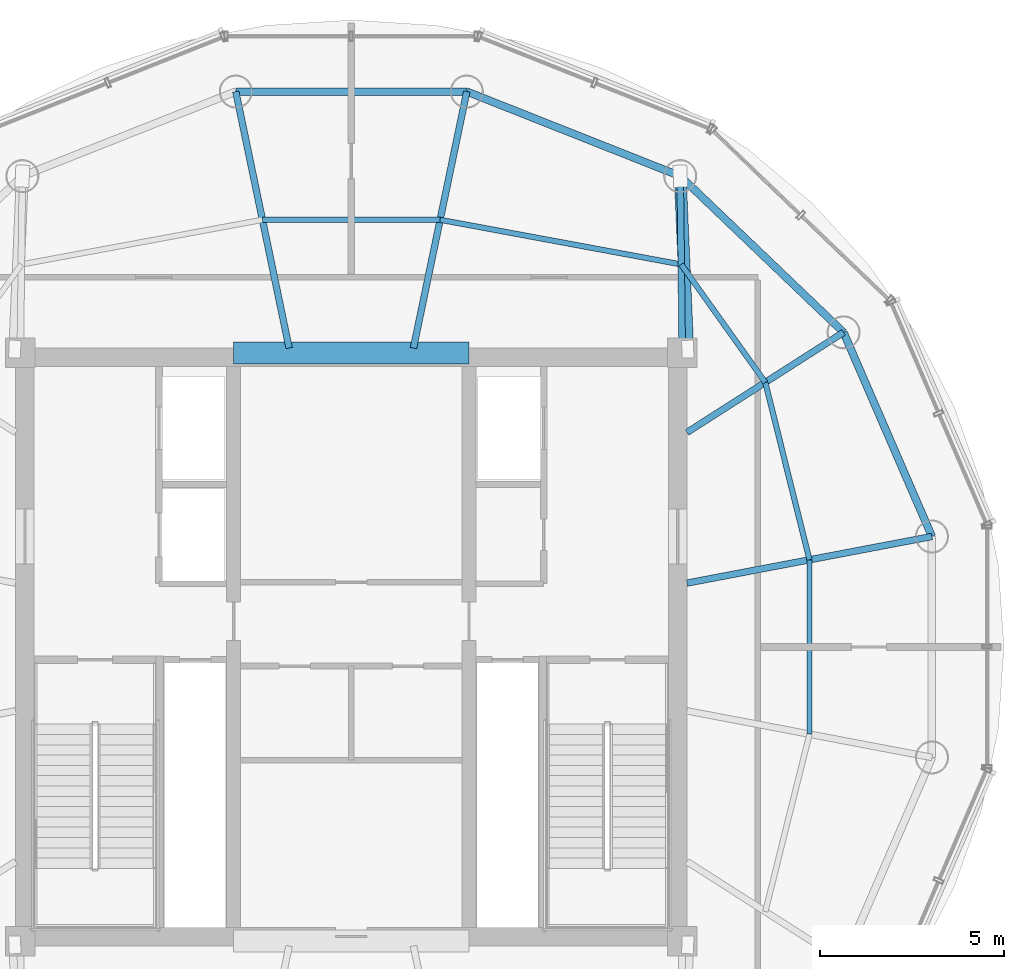
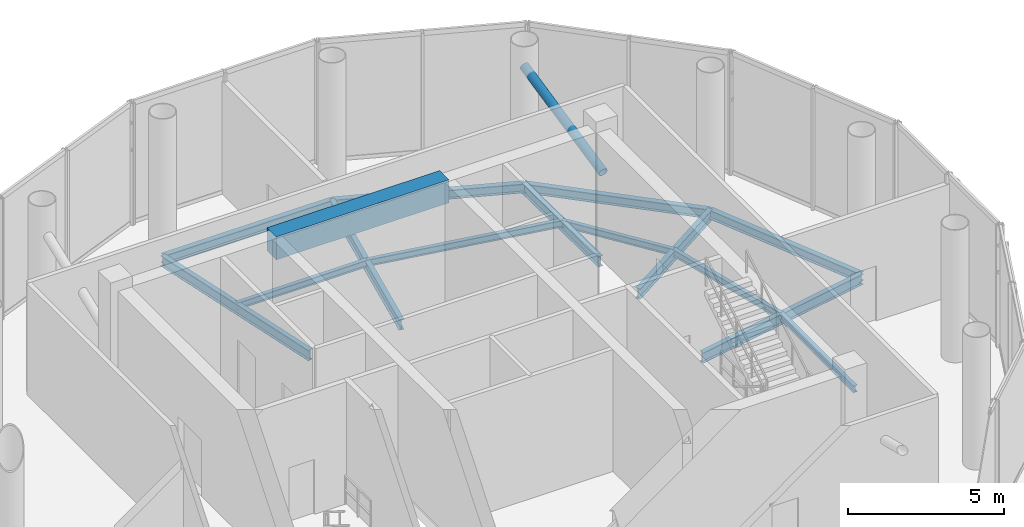
# One storey, part 7 of 15: 15 beams, 1 member.
"""IFC4 building model written with IfcOpenShell, lengths in metres."""

from ifc_helpers import new_model, si_unit, direction, frame, origin, origin_2d, place, context, subcontext, project, spatial, rectangle, hollow_circle, i_section, extrude, source, transform, mapped, material, material_profile, profile_set, type_object, element, save


model = new_model("IFC4")

# Units and contexts
model_context = context("Model", 3, precision=1e-05, world=origin(), true_north=direction((-0.2419218956, 0.970295726276)))
body_context = subcontext(model_context, "Body", "Model", "MODEL_VIEW")
ifc_project = project(units=[si_unit("LENGTHUNIT", "METRE"), si_unit("AREAUNIT", "SQUARE_METRE"), si_unit("VOLUMEUNIT", "CUBIC_METRE"), si_unit("PLANEANGLEUNIT", "RADIAN"), si_unit("MASSUNIT", "GRAM", prefix="KILO")], contexts=[model_context])

# Site, building, storey
site_placement = place(None, origin())
site = spatial("IfcSite", under=ifc_project, at=site_placement, CompositionType="ELEMENT")
building_placement = place(site_placement, origin())
building = spatial("IfcBuilding", under=site, at=building_placement, Name="Cobrevalo Terracotta Tower", CompositionType="ELEMENT")
storey_placement = place(building_placement, frame((0.0, 0.0, 311.300048828125)))
storey = spatial("IfcBuildingStorey", under=building, at=storey_placement, Name="L81", CompositionType="ELEMENT", Elevation=311.300048828125)

# Beams
ifc_material_1 = material(Name="Concrete C60", Category="concrete")
ifc_material_profile_1 = material_profile(ifc_material_1, rectangle(XDim=0.60009765625, YDim=0.89990234375, at=origin_2d()), Name="RC CB 600x900")
ifc_profile_set_1 = profile_set([ifc_material_profile_1], Name="Concrete C60")
beam_type_1 = type_object("IfcBeamType", Name="Structural Beam RC CB 600x900 (Concrete C60)", PredefinedType="BEAM", material=ifc_profile_set_1)
beam_1_placement = place(storey_placement, frame((34.800048828125, 34.800048828125, 4.329833984375), z_axis=(1.0, 0.0, 0.0), x_axis=(0.0, 1.0, 0.0)))
element("IfcBeam", 1, at=beam_1_placement, inside=storey, type_object=beam_type_1, Name="L81 core coupling beam 2", PredefinedType="BEAM", context=body_context, shape_type="SweptSolid", body=[
    extrude(rectangle(XDim=0.60009765625, YDim=0.89990234375, at=origin_2d()), origin(), (0.0, 0.0, 1.0), 6.39990234375),
])
ifc_material_2 = material(Name="Steel S355", Category="steel")
ifc_material_profile_2 = material_profile(ifc_material_2, i_section(OverallWidth=0.179931640625, OverallDepth=0.4130859375, WebThickness=0.009765625, FlangeThickness=0.01611328125, at=origin_2d()), Name="W 410x75")
ifc_profile_set_2 = profile_set([ifc_material_profile_2], Name="Steel S355")
beam_type_2 = type_object("IfcBeamType", Name="Structural Beam W 410x75 (Steel S355)", PredefinedType="BEAM", material=ifc_profile_set_2)
beam_2_placement = place(storey_placement, frame((53.79052734375, 29.804443359375, -0.62646484375), z_axis=(-0.982375422254, -0.186918510993, 0.0), x_axis=(0.186918510993, -0.982375422254, 0.0)))
element("IfcBeam", 2, at=beam_2_placement, inside=storey, type_object=beam_type_2, Name="L81 radial floor girder 01", PredefinedType="BEAM", context=body_context, shape_type="SweptSolid", body=[
    extrude(i_section(OverallWidth=0.179931640625, OverallDepth=0.4130859375, WebThickness=0.009765625, FlangeThickness=0.01611328125, at=origin_2d()), origin(), (0.0, 0.0, 1.0), 6.780029296875),
])
beam_3_placement = place(storey_placement, frame((51.38671875, 35.355712890625, -0.62646484375), z_axis=(-0.842623166291, -0.538503667239, 0.0), x_axis=(0.538503667239, -0.842623166291, 0.0)))
element("IfcBeam", 3, at=beam_3_placement, inside=storey, type_object=beam_type_2, Name="L81 radial floor girder 02", PredefinedType="BEAM", context=body_context, shape_type="SweptSolid", body=[
    extrude(i_section(OverallWidth=0.179931640625, OverallDepth=0.4130859375, WebThickness=0.009765625, FlangeThickness=0.01611328125, at=origin_2d()), origin(), (0.0, 0.0, 1.0), 5.052001953125),
])
beam_4_placement = place(storey_placement, frame((46.944580078125, 39.604736328125, -0.62646484375), z_axis=(0.01153378561, -0.999933483683, 0.0), x_axis=(0.999933483683, 0.01153378561, 0.0)))
element("IfcBeam", 4, at=beam_4_placement, inside=storey, type_object=beam_type_2, Name="L81 radial floor girder 03", PredefinedType="BEAM", context=body_context, shape_type="SweptSolid", body=[
    extrude(i_section(OverallWidth=0.179931640625, OverallDepth=0.4130859375, WebThickness=0.009765625, FlangeThickness=0.01611328125, at=origin_2d()), origin(), (0.0, 0.0, 1.0), 4.804931640625),
])
for number, where, z_axis, x_axis, name in (
    (5, (41.140869140625, 41.904052734375, -0.62646484375), (-0.203584701476, -0.979057337098, 0.0), (0.979057337098, -0.203584701476, 0.0), "L81 radial floor girder 04"),
    (6, (34.859130859375, 41.904052734375, -0.62646484375), (0.203584701476, -0.979057337098, 0.0), (0.979057337098, 0.203584701476, 0.0), "L81 radial floor girder 05"),
):
    element("IfcBeam", number, at=place(storey_placement, frame(where, z_axis=z_axis, x_axis=x_axis)), inside=storey, type_object=beam_type_2, Name=name, PredefinedType="BEAM", context=body_context, shape_type="SweptSolid", body=[
        extrude(i_section(OverallWidth=0.179931640625, OverallDepth=0.4130859375, WebThickness=0.009765625, FlangeThickness=0.01611328125, at=origin_2d()), origin(), (0.0, 0.0, 1.0), 7.123291015625),
    ])
ifc_material_profile_3 = material_profile(ifc_material_2, i_section(OverallWidth=0.14794921875, OverallDepth=0.26611328125, WebThickness=0.007568359375, FlangeThickness=0.012939453125, at=origin_2d()), Name="W 250x44.8")
ifc_profile_set_3 = profile_set([ifc_material_profile_3], Name="Steel S355")
beam_type_3 = type_object("IfcBeamType", Name="Structural Joist W 250x44.8 (Steel S355)", PredefinedType="JOIST", material=ifc_profile_set_3)
beam_5_placement = place(storey_placement, frame((50.460205078125, 29.170654296875, -0.552978515625), z_axis=(-0.241715293121, 0.970347214698, 0.0), x_axis=(-0.970347214698, -0.241715293121, 0.0)))
element("IfcBeam", 7, at=beam_5_placement, inside=storey, type_object=beam_type_3, Name="L81 circumferential secondary floor joist 01", PredefinedType="JOIST", context=body_context, shape_type="SweptSolid", body=[
    extrude(i_section(OverallWidth=0.14794921875, OverallDepth=0.26611328125, WebThickness=0.007568359375, FlangeThickness=0.012939453125, at=origin_2d()), origin(), (0.0, 0.0, 1.0), 4.972412109375),
])
beam_6_placement = place(storey_placement, frame((49.25830078125, 33.99560546875, -0.552978515625), z_axis=(-0.58045210377, 0.814294391009, 0.0), x_axis=(-0.814294391009, -0.58045210377, 0.0)))
element("IfcBeam", 8, at=beam_6_placement, inside=storey, type_object=beam_type_3, Name="L81 circumferential secondary floor joist 02", PredefinedType="JOIST", context=body_context, shape_type="SweptSolid", body=[
    extrude(i_section(OverallWidth=0.14794921875, OverallDepth=0.26611328125, WebThickness=0.007568359375, FlangeThickness=0.012939453125, at=origin_2d()), origin(), (0.0, 0.0, 1.0), 3.938232421875),
])
beam_7_placement = place(storey_placement, frame((46.972412109375, 37.202392578125, -0.552978515625), z_axis=(-0.98327107767, 0.182148257797, 0.0), x_axis=(-0.182148257797, -0.98327107767, 0.0)))
element("IfcBeam", 9, at=beam_7_placement, inside=storey, type_object=beam_type_3, Name="L81 circumferential secondary floor joist 03", PredefinedType="JOIST", context=body_context, shape_type="SweptSolid", body=[
    extrude(i_section(OverallWidth=0.14794921875, OverallDepth=0.26611328125, WebThickness=0.007568359375, FlangeThickness=0.012939453125, at=origin_2d()), origin(), (0.0, 0.0, 1.0), 6.668212890625),
])
beam_8_placement = place(storey_placement, frame((40.415771484375, 38.4169921875, -0.552978515625), z_axis=(-1.0, 0.0, 0.0), x_axis=(0.0, -1.0, 0.0)))
element("IfcBeam", 10, at=beam_8_placement, inside=storey, type_object=beam_type_3, Name="L81 circumferential secondary floor joist 04", PredefinedType="JOIST", context=body_context, shape_type="SweptSolid", body=[
    extrude(i_section(OverallWidth=0.14794921875, OverallDepth=0.26611328125, WebThickness=0.007568359375, FlangeThickness=0.012939453125, at=origin_2d()), origin(), (0.0, 0.0, 1.0), 4.83154296875),
])
beam_9_placement = place(storey_placement, frame((50.460205078125, 24.42919921875, -0.552978515625), z_axis=(0.0, 1.0, 0.0), x_axis=(-1.0, 0.0, 0.0)))
element("IfcBeam", 11, at=beam_9_placement, inside=storey, type_object=beam_type_3, Name="L81 circumferential secondary floor joist 16", PredefinedType="JOIST", context=body_context, shape_type="SweptSolid", body=[
    extrude(i_section(OverallWidth=0.14794921875, OverallDepth=0.26611328125, WebThickness=0.007568359375, FlangeThickness=0.012939453125, at=origin_2d()), origin(), (0.0, 0.0, 1.0), 4.741455078125),
])
ifc_material_profile_4 = material_profile(ifc_material_2, i_section(OverallWidth=0.205078125, OverallDepth=0.35400390625, WebThickness=0.009521484375, FlangeThickness=0.016845703125, at=origin_2d()), Name="W 360x79")
ifc_profile_set_4 = profile_set([ifc_material_profile_4], Name="Steel S355")
beam_type_4 = type_object("IfcBeamType", Name="Structural Spandrel W 360x79 (Steel S355)", PredefinedType="SPANDREL", material=ifc_profile_set_4)
beam_10_placement = place(storey_placement, frame((53.79052734375, 29.804443359375, -0.59716796875), z_axis=(-0.397365049134, 0.917660622304, 0.0), x_axis=(-0.917660622304, -0.397365049134, 0.0)))
element("IfcBeam", 12, at=beam_10_placement, inside=storey, type_object=beam_type_4, Name="L81 perimeter ring spandrel 01", PredefinedType="SPANDREL", context=body_context, shape_type="SweptSolid", body=[
    extrude(i_section(OverallWidth=0.205078125, OverallDepth=0.35400390625, WebThickness=0.009521484375, FlangeThickness=0.016845703125, at=origin_2d()), origin(), (0.0, 0.0, 1.0), 6.04931640625),
])
beam_11_placement = place(storey_placement, frame((51.38671875, 35.355712890625, -0.59716796875), z_axis=(-0.72264013205, 0.691224449475, 0.0), x_axis=(-0.691224449475, -0.72264013205, 0.0)))
element("IfcBeam", 13, at=beam_11_placement, inside=storey, type_object=beam_type_4, Name="L81 perimeter ring spandrel 02", PredefinedType="SPANDREL", context=body_context, shape_type="SweptSolid", body=[
    extrude(i_section(OverallWidth=0.205078125, OverallDepth=0.35400390625, WebThickness=0.009521484375, FlangeThickness=0.016845703125, at=origin_2d()), origin(), (0.0, 0.0, 1.0), 6.147216796875),
])
beam_12_placement = place(storey_placement, frame((46.944580078125, 39.604736328125, -0.59716796875), z_axis=(-0.929696156532, 0.368327376839, 0.0), x_axis=(-0.368327376839, -0.929696156532, 0.0)))
element("IfcBeam", 14, at=beam_12_placement, inside=storey, type_object=beam_type_4, Name="L81 perimeter ring spandrel 03", PredefinedType="SPANDREL", context=body_context, shape_type="SweptSolid", body=[
    extrude(i_section(OverallWidth=0.205078125, OverallDepth=0.35400390625, WebThickness=0.009521484375, FlangeThickness=0.016845703125, at=origin_2d()), origin(), (0.0, 0.0, 1.0), 6.24267578125),
])
beam_13_placement = place(storey_placement, frame((41.140869140625, 41.904052734375, -0.59716796875), z_axis=(-1.0, 0.0, 0.0), x_axis=(0.0, -1.0, 0.0)))
element("IfcBeam", 15, at=beam_13_placement, inside=storey, type_object=beam_type_4, Name="L81 perimeter ring spandrel 04", PredefinedType="SPANDREL", context=body_context, shape_type="SweptSolid", body=[
    extrude(i_section(OverallWidth=0.205078125, OverallDepth=0.35400390625, WebThickness=0.009521484375, FlangeThickness=0.016845703125, at=origin_2d()), origin(), (0.0, 0.0, 1.0), 6.28173828125),
])

# Member
ifc_material_profile_5 = material_profile(ifc_material_2, hollow_circle(Radius=0.162109375, WallThickness=0.013916015625, at=origin_2d()), Name="CHS 324x14")
ifc_profile_set_5 = profile_set([ifc_material_profile_5], Name="Steel S355")
member_type = type_object("IfcMemberType", Name="Steel Brace CHS 324x14 (Steel S355)", PredefinedType="BRACE", material=ifc_profile_set_5)
shared_shape = source(origin(), body_context, "Body", "SweptSolid", [
    extrude(hollow_circle(Radius=0.162109375, WallThickness=0.013916015625, at=origin_2d()), origin(), (0.0, 0.0, 1.0), 4.9072265625),
])
member_placement = place(storey_placement, frame((47.14990234375, 34.89990234375, 2.75), z_axis=(-0.041840080102, 0.958739814085, 0.281189218474), x_axis=(-0.999049102523, -0.043599205813, 0.0)))
element("IfcMember", 16, at=member_placement, inside=storey, type_object=member_type, Name="L81 CROWN FRAME radial brace 01", PredefinedType="BRACE", context=body_context, shape_type="MappedRepresentation", body=[
    mapped(shared_shape, transform((0.0, 0.0, 0.0), scale=1.0)),
])

save(model, "model.ifc")
